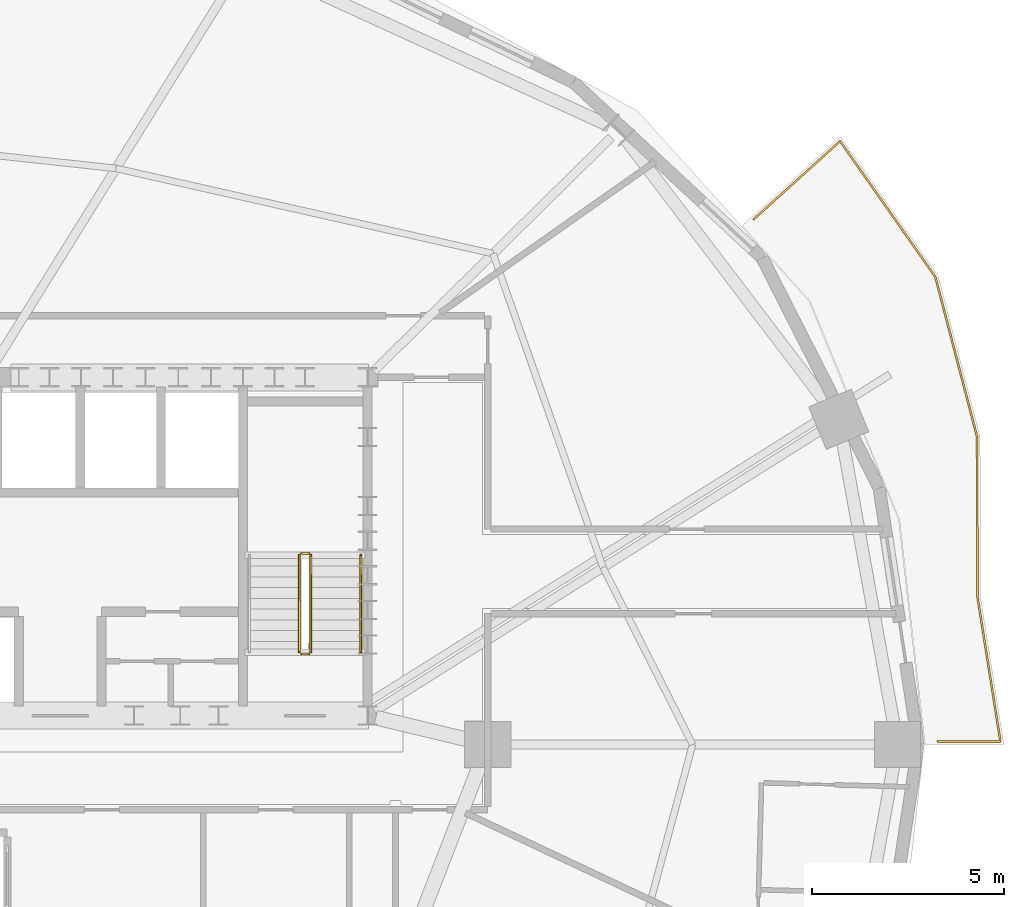
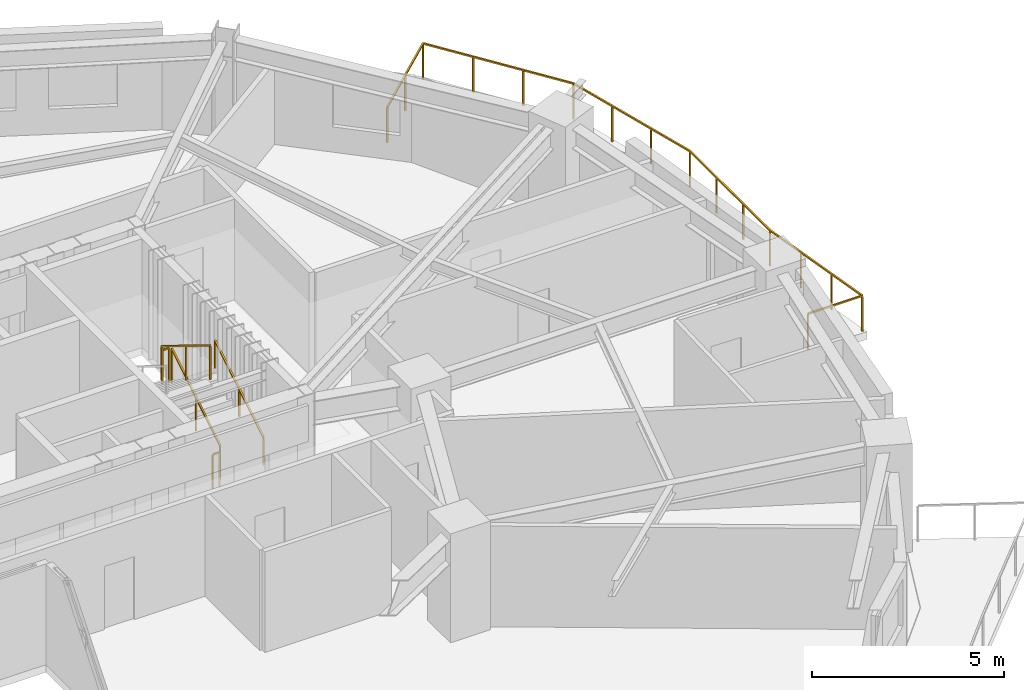
# One storey, part 13 of 13: 6 railings.
"""IFC4 building model written with IfcOpenShell, lengths in metres."""

from ifc_helpers import new_model, si_unit, direction, frame, origin, origin_2d, place, context, subcontext, project, spatial, rectangle, extrude, material, type_object, element, save


model = new_model("IFC4")

# Units and contexts
model_context = context("Model", 3, precision=1e-05, world=origin(), true_north=direction((0.0, 1.0)))
body_context = subcontext(model_context, "Body", "Model", "MODEL_VIEW")
ifc_project = project(units=[si_unit("LENGTHUNIT", "METRE"), si_unit("AREAUNIT", "SQUARE_METRE"), si_unit("VOLUMEUNIT", "CUBIC_METRE"), si_unit("PLANEANGLEUNIT", "RADIAN"), si_unit("MASSUNIT", "GRAM", prefix="KILO")], contexts=[model_context])

# Site, building, storey
site_placement = place(None, origin())
site = spatial("IfcSite", under=ifc_project, at=site_placement, CompositionType="ELEMENT")
building_placement = place(site_placement, origin())
building = spatial("IfcBuilding", under=site, at=building_placement, Name="Haldorwick Loom Tower", CompositionType="ELEMENT")
storey_placement = place(building_placement, frame((0.0, 0.0, 124.25)))
storey = spatial("IfcBuildingStorey", under=building, at=storey_placement, Name="L33", CompositionType="ELEMENT", Elevation=124.25)

# Railings
ifc_material_1 = material(Name="Galvanized Steel CSA G40.21 350W", Category="steel")
railing_type_1 = type_object("IfcRailingType", Name="ARC-RLG-BAL115", PredefinedType="BALUSTRADE", material=ifc_material_1)
railing_1_placement = place(storey_placement, frame((60.115234375, 39.6572265625, 0.0)))
element("IfcRailing", 1, at=railing_1_placement, inside=storey, type_object=railing_type_1, Name="L33 Outdoor Terrace Guardrail SLB-L33-BAL_ENE-1", PredefinedType="BALUSTRADE", context=body_context, shape_type="SweptSolid", body=[
    extrude(rectangle(XDim=0.048095703125, YDim=0.048095703125, at=origin_2d()), frame((0.0, 0.0, 1.1259765625), z_axis=(0.741598706345, 0.670843766273, 0.0), x_axis=(-0.670843766273, 0.741598706345, 0.0)), (0.0, 0.0, 1.0), 3.032958984375),
    extrude(rectangle(XDim=0.048095703125, YDim=0.048095703125, at=origin_2d()), frame((2.249267578125, 2.03466796875, 1.1259765625), z_axis=(0.574647366474, -0.818401126713, 0.0), x_axis=(0.818401126713, 0.574647366474, 0.0)), (0.0, 0.0, 1.0), 4.311767578125),
    extrude(rectangle(XDim=0.048095703125, YDim=0.048095703125, at=origin_2d()), frame((4.72705078125, -1.494140625, 1.1259765625), z_axis=(0.252703533598, -0.967543758239, 0.0), x_axis=(0.967543758239, 0.252703533598, 0.0)), (0.0, 0.0, 1.0), 4.304931640625),
    extrude(rectangle(XDim=0.048095703125, YDim=0.048095703125, at=origin_2d()), frame((5.81494140625, -5.659423828125, 1.1259765625), z_axis=(0.002175825488, -0.999997632889, 0.0), x_axis=(0.999997632889, 0.002175825488, 0.0)), (0.0, 0.0, 1.0), 4.151611328125),
    extrude(rectangle(XDim=0.048095703125, YDim=0.048095703125, at=origin_2d()), frame((5.823974609375, -9.81103515625, 1.1259765625), z_axis=(0.039968038349, -0.999200958722, 0.0), x_axis=(0.999200958722, 0.039968038349, 0.0)), (0.0, 0.0, 1.0), 0.006103515625),
    extrude(rectangle(XDim=0.048095703125, YDim=0.048095703125, at=origin_2d()), frame((5.82421875, -9.817138671875, 1.1259765625), z_axis=(0.119145220618, -0.992876838487, 0.0), x_axis=(0.992876838487, 0.119145220618, 0.0)), (0.0, 0.0, 1.0), 0.006103515625),
    extrude(rectangle(XDim=0.048095703125, YDim=0.048095703125, at=origin_2d()), frame((5.824951171875, -9.8232421875, 1.1259765625), z_axis=(0.156602450098, -0.987661719732, 0.0), x_axis=(0.987661719732, 0.156602450098, 0.0)), (0.0, 0.0, 1.0), 3.80078125),
    extrude(rectangle(XDim=0.048095703125, YDim=0.048095703125, at=origin_2d()), frame((6.420166015625, -13.5771484375, 1.1259765625), z_axis=(-1.0, 0.0, 0.0), x_axis=(0.0, -1.0, 0.0)), (0.0, 0.0, 1.0), 1.634521484375),
    extrude(rectangle(XDim=0.0419921875, YDim=0.0419921875, at=origin_2d()), origin(), (0.0, 0.0, 1.0), 1.101806640625),
    extrude(rectangle(XDim=0.0419921875, YDim=0.0419921875, at=origin_2d()), frame((1.12451171875, 1.017333984375, 0.0)), (0.0, 0.0, 1.0), 1.101806640625),
    extrude(rectangle(XDim=0.0419921875, YDim=0.0419921875, at=origin_2d()), frame((2.249267578125, 2.03466796875, 0.0)), (0.0, 0.0, 1.0), 1.101806640625),
    extrude(rectangle(XDim=0.0419921875, YDim=0.0419921875, at=origin_2d()), frame((3.0751953125, 0.8583984375, 0.0)), (0.0, 0.0, 1.0), 1.101806640625),
    extrude(rectangle(XDim=0.0419921875, YDim=0.0419921875, at=origin_2d()), frame((3.901123046875, -0.31787109375, 0.0)), (0.0, 0.0, 1.0), 1.101806640625),
    extrude(rectangle(XDim=0.0419921875, YDim=0.0419921875, at=origin_2d()), frame((4.72705078125, -1.494140625, 0.0)), (0.0, 0.0, 1.0), 1.101806640625),
    extrude(rectangle(XDim=0.0419921875, YDim=0.0419921875, at=origin_2d()), frame((5.089599609375, -2.882568359375, 0.0)), (0.0, 0.0, 1.0), 1.101806640625),
    extrude(rectangle(XDim=0.0419921875, YDim=0.0419921875, at=origin_2d()), frame((5.452392578125, -4.27099609375, 0.0)), (0.0, 0.0, 1.0), 1.101806640625),
    extrude(rectangle(XDim=0.0419921875, YDim=0.0419921875, at=origin_2d()), frame((5.81494140625, -5.659423828125, 0.0)), (0.0, 0.0, 1.0), 1.101806640625),
    extrude(rectangle(XDim=0.0419921875, YDim=0.0419921875, at=origin_2d()), frame((5.81787109375, -7.043212890625, 0.0)), (0.0, 0.0, 1.0), 1.101806640625),
    extrude(rectangle(XDim=0.0419921875, YDim=0.0419921875, at=origin_2d()), frame((5.821044921875, -8.42724609375, 0.0)), (0.0, 0.0, 1.0), 1.101806640625),
    extrude(rectangle(XDim=0.0419921875, YDim=0.0419921875, at=origin_2d()), frame((5.823974609375, -9.81103515625, 0.0)), (0.0, 0.0, 1.0), 1.101806640625),
    extrude(rectangle(XDim=0.0419921875, YDim=0.0419921875, at=origin_2d()), frame((6.0234375, -11.074462890625, 0.0)), (0.0, 0.0, 1.0), 1.101806640625),
    extrude(rectangle(XDim=0.0419921875, YDim=0.0419921875, at=origin_2d()), frame((6.2216796875, -12.325927734375, 0.0)), (0.0, 0.0, 1.0), 1.101806640625),
    extrude(rectangle(XDim=0.0419921875, YDim=0.0419921875, at=origin_2d()), frame((6.420166015625, -13.5771484375, 0.0)), (0.0, 0.0, 1.0), 1.101806640625),
    extrude(rectangle(XDim=0.0419921875, YDim=0.0419921875, at=origin_2d()), frame((4.78564453125, -13.5771484375, 0.0)), (0.0, 0.0, 1.0), 1.101806640625),
])
ifc_material_2 = material(Name="Steel CSA G40.21 350W", Category="steel")
railing_type_2 = type_object("IfcRailingType", Name="ARC-RLG-GUARD112", PredefinedType="GUARDRAIL", material=ifc_material_2)
railing_2_placement = place(storey_placement, frame((48.60009765625, 28.39990234375, 0.172607421875)))
element("IfcRailing", 2, at=railing_2_placement, inside=storey, type_object=railing_type_2, Name="L33 ST-02 stair guard 1", PredefinedType="GUARDRAIL", context=body_context, shape_type="SweptSolid", body=[
    extrude(rectangle(XDim=0.048095703125, YDim=0.048095703125, at=origin_2d()), frame((0.0, 0.0, 1.076171875), z_axis=(0.0, 0.851400495292, 0.524516154772), x_axis=(-1.0, 0.0, 0.0)), (0.0, 0.0, 1.0), 2.9599609375),
    extrude(rectangle(XDim=0.0419921875, YDim=0.0419921875, at=origin_2d()), origin(), (0.0, 0.0, 1.0), 1.052001953125),
    extrude(rectangle(XDim=0.0419921875, YDim=0.0419921875, at=origin_2d()), frame((0.0, 1.260009765625, 0.7763671875)), (0.0, 0.0, 1.0), 1.052001953125),
    extrude(rectangle(XDim=0.0419921875, YDim=0.0419921875, at=origin_2d()), frame((0.0, 2.52001953125, 1.552490234375)), (0.0, 0.0, 1.0), 1.052001953125),
])
railing_3_placement = place(storey_placement, frame((48.550048828125, 30.969970703125, 1.72509765625)))
element("IfcRailing", 3, at=railing_3_placement, inside=storey, type_object=railing_type_2, Name="L33 ST-02 stair guard 2", PredefinedType="GUARDRAIL", context=body_context, shape_type="SweptSolid", body=[
    extrude(rectangle(XDim=0.048095703125, YDim=0.048095703125, at=origin_2d()), frame((0.0, 0.0, 1.076171875), z_axis=(-1.0, 0.0, 0.0), x_axis=(0.0, -1.0, 0.0)), (0.0, 0.0, 1.0), 0.199951171875),
    extrude(rectangle(XDim=0.0419921875, YDim=0.0419921875, at=origin_2d()), origin(), (0.0, 0.0, 1.0), 1.052001953125),
    extrude(rectangle(XDim=0.0419921875, YDim=0.0419921875, at=origin_2d()), frame((-0.199951171875, 0.0, 0.0)), (0.0, 0.0, 1.0), 1.052001953125),
])
railing_4_placement = place(storey_placement, frame((48.300048828125, 30.919921875, 1.8974609375)))
element("IfcRailing", 4, at=railing_4_placement, inside=storey, type_object=railing_type_2, Name="L33 ST-02 stair guard 3", PredefinedType="GUARDRAIL", context=body_context, shape_type="SweptSolid", body=[
    extrude(rectangle(XDim=0.048095703125, YDim=0.048095703125, at=origin_2d()), frame((0.0, 0.0, 1.076171875), z_axis=(0.0, -0.851400495292, 0.524516154772), x_axis=(1.0, 0.0, 0.0)), (0.0, 0.0, 1.0), 2.9599609375),
    extrude(rectangle(XDim=0.0419921875, YDim=0.0419921875, at=origin_2d()), origin(), (0.0, 0.0, 1.0), 1.052001953125),
    extrude(rectangle(XDim=0.0419921875, YDim=0.0419921875, at=origin_2d()), frame((0.0, -1.260009765625, 0.7763671875)), (0.0, 0.0, 1.0), 1.052001953125),
    extrude(rectangle(XDim=0.0419921875, YDim=0.0419921875, at=origin_2d()), frame((0.0, -2.52001953125, 1.552490234375)), (0.0, 0.0, 1.0), 1.052001953125),
])
railing_5_placement = place(storey_placement, frame((48.550048828125, 28.35009765625, 0.0)))
element("IfcRailing", 5, at=railing_5_placement, inside=storey, type_object=railing_type_2, Name="L33 ST-02 stair guard 4", PredefinedType="GUARDRAIL", context=body_context, shape_type="SweptSolid", body=[
    extrude(rectangle(XDim=0.048095703125, YDim=0.048095703125, at=origin_2d()), frame((0.0, 0.0, 1.076171875), z_axis=(-1.0, 0.0, 0.0), x_axis=(0.0, -1.0, 0.0)), (0.0, 0.0, 1.0), 0.199951171875),
    extrude(rectangle(XDim=0.0419921875, YDim=0.0419921875, at=origin_2d()), origin(), (0.0, 0.0, 1.0), 1.052001953125),
    extrude(rectangle(XDim=0.0419921875, YDim=0.0419921875, at=origin_2d()), frame((-0.199951171875, 0.0, 0.0)), (0.0, 0.0, 1.0), 1.052001953125),
])
railing_type_3 = type_object("IfcRailingType", Name="ARC-RLG-HAND092", PredefinedType="HANDRAIL", material=ifc_material_2)
railing_6_placement = place(storey_placement, frame((49.89990234375, 28.39990234375, 0.172607421875)))
element("IfcRailing", 6, at=railing_6_placement, inside=storey, type_object=railing_type_3, Name="L33 ST-02 stair handrail 1", PredefinedType="HANDRAIL", context=body_context, shape_type="SweptSolid", body=[
    extrude(rectangle(XDim=0.048095703125, YDim=0.048095703125, at=origin_2d()), frame((0.0, 0.0, 0.8759765625), z_axis=(0.0, 0.851400495292, 0.524516154772), x_axis=(-1.0, 0.0, 0.0)), (0.0, 0.0, 1.0), 2.9599609375),
    extrude(rectangle(XDim=0.0419921875, YDim=0.0419921875, at=origin_2d()), origin(), (0.0, 0.0, 1.0), 0.851806640625),
    extrude(rectangle(XDim=0.0419921875, YDim=0.0419921875, at=origin_2d()), frame((0.0, 1.260009765625, 0.7763671875)), (0.0, 0.0, 1.0), 0.851806640625),
    extrude(rectangle(XDim=0.0419921875, YDim=0.0419921875, at=origin_2d()), frame((0.0, 2.52001953125, 1.552490234375)), (0.0, 0.0, 1.0), 0.851806640625),
])

save(model, "model.ifc")
